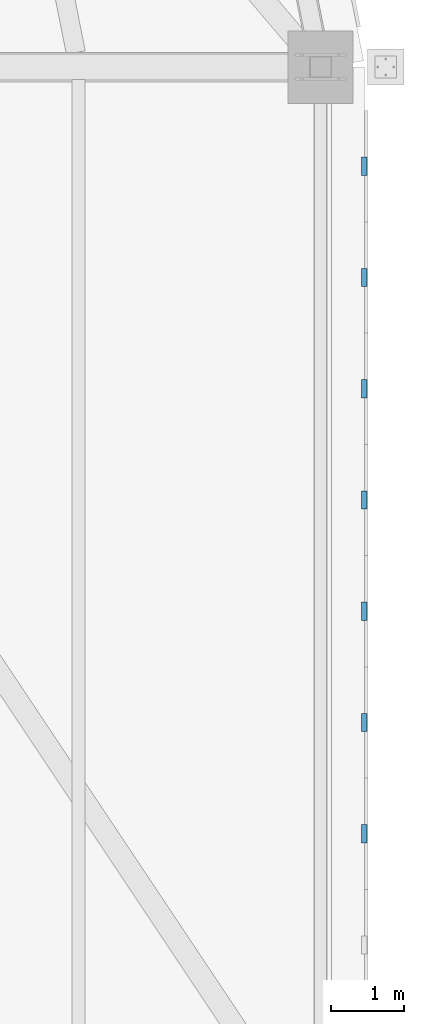
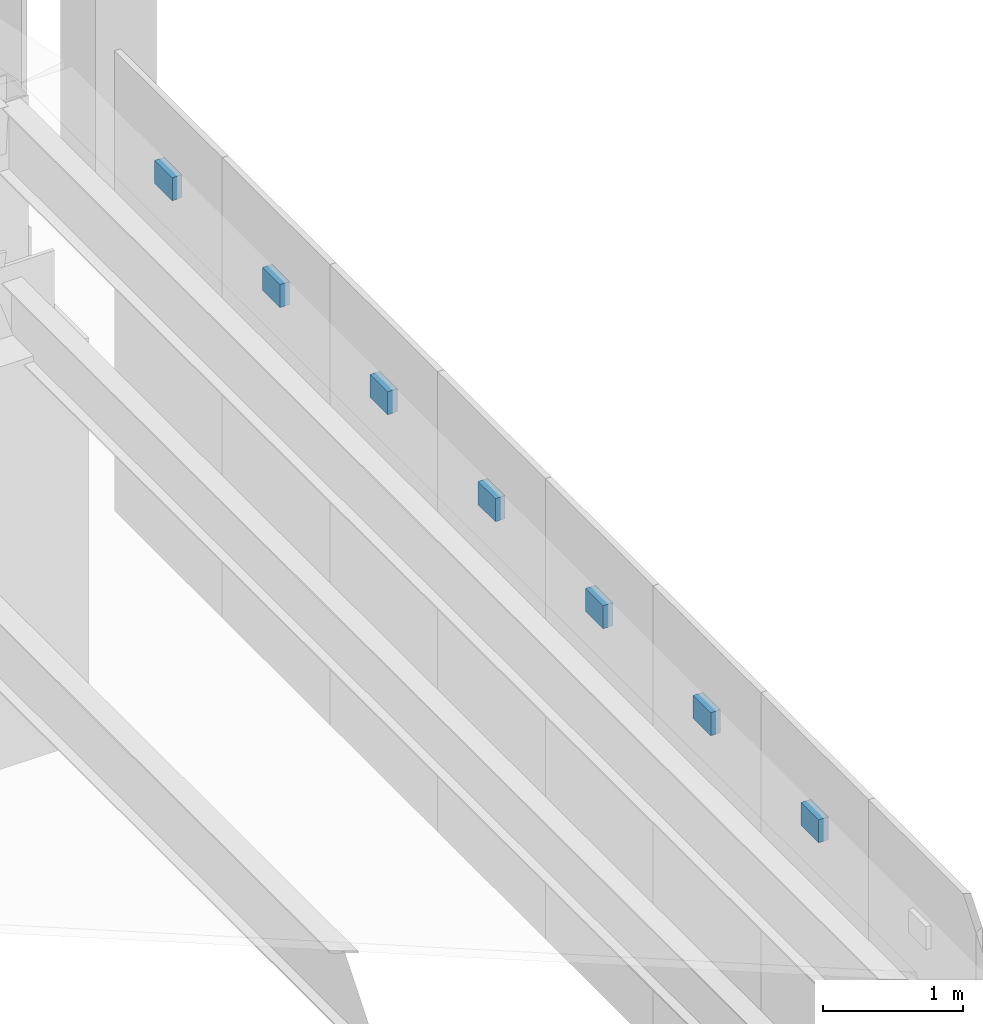
# One storey, part 255 of 278: 7 discrete accessories.
"""IFC4 building model written with IfcOpenShell, lengths in metres."""

from ifc_helpers import new_model, si_unit, direction, frame, origin, origin_2d, place, context, subcontext, project, spatial, rectangle, extrude, material, layer, layer_set, type_object, element, save


model = new_model("IFC4")

# Units and contexts
model_context = context("Model", 3, precision=1e-05, world=origin(), true_north=direction((0.0, 1.0)))
body_context = subcontext(model_context, "Body", "Model", "MODEL_VIEW")
ifc_project = project(units=[si_unit("LENGTHUNIT", "METRE"), si_unit("AREAUNIT", "SQUARE_METRE"), si_unit("VOLUMEUNIT", "CUBIC_METRE"), si_unit("PLANEANGLEUNIT", "RADIAN"), si_unit("MASSUNIT", "GRAM", prefix="KILO")], contexts=[model_context])

# Site, building, storey
site_placement = place(None, origin())
site = spatial("IfcSite", under=ifc_project, at=site_placement, CompositionType="ELEMENT")
building_placement = place(site_placement, origin())
building = spatial("IfcBuilding", under=site, at=building_placement, Name="Ogive Plaza Stadium", CompositionType="ELEMENT")
storey_placement = place(building_placement, frame((0.0, 0.0, 29.0)))
storey = spatial("IfcBuildingStorey", under=building, at=storey_placement, Name="Roof", CompositionType="ELEMENT", Elevation=29.0)

# Discrete accessories
ifc_material = material(Name="Steel ASTM A572 Grade 50", Category="steel")
ifc_layer = layer(ifc_material, 0.080078125)
ifc_layer_set = layer_set([ifc_layer], Name="Steel ASTM A572 Grade 50")
discrete_accessory_type = type_object("IfcDiscreteAccessoryType", Name="Tracery screen bracket 250x200", PredefinedType="BRACKET", material=ifc_layer_set)
for number, where, z_axis, x_axis, name in (
    (1, (84.602294921875, 51.13330078125, 5.25), (0.0, 0.0, 1.0), (0.0, -1.0, 0.0), "TRACERY SCREEN BRACKET B01 1"),
    (2, (84.602294921875, 49.60009765625, 5.25), (0.0, 0.0, 1.0), (0.0, -1.0, 0.0), "TRACERY SCREEN BRACKET B01 2"),
    (3, (84.602294921875, 48.066650390625, 5.25), (0.0, 0.0, 1.0), (0.0, -1.0, 0.0), "TRACERY SCREEN BRACKET B01 3"),
    (4, (84.602294921875, 46.533203125, 5.25), (0.0, 0.0, 1.0), (0.0, -1.0, 0.0), "TRACERY SCREEN BRACKET B01 4"),
    (5, (84.602294921875, 45.0, 5.25), (0.0, 0.0, 1.0), (0.0, -1.0, 0.0), "TRACERY SCREEN BRACKET B01 5"),
    (6, (84.602294921875, 43.466796875, 5.25), (0.0, 0.0, 1.0), (0.0, -1.0, 0.0), "TRACERY SCREEN BRACKET B01 6"),
    (7, (84.602294921875, 41.933349609375, 5.25), (0.0, 0.0, 1.0), (0.0, -1.0, 0.0), "TRACERY SCREEN BRACKET B01 7"),
):
    element("IfcDiscreteAccessory", number, at=place(storey_placement, frame(where, z_axis=z_axis, x_axis=x_axis)), inside=storey, type_object=discrete_accessory_type, Name=name, PredefinedType="BRACKET", context=body_context, shape_type="SweptSolid", body=[
        extrude(rectangle(XDim=0.25, YDim=0.080078125, at=origin_2d()), origin(), (0.0, 0.0, 1.0), 0.199951171875),
    ])

save(model, "model.ifc")
